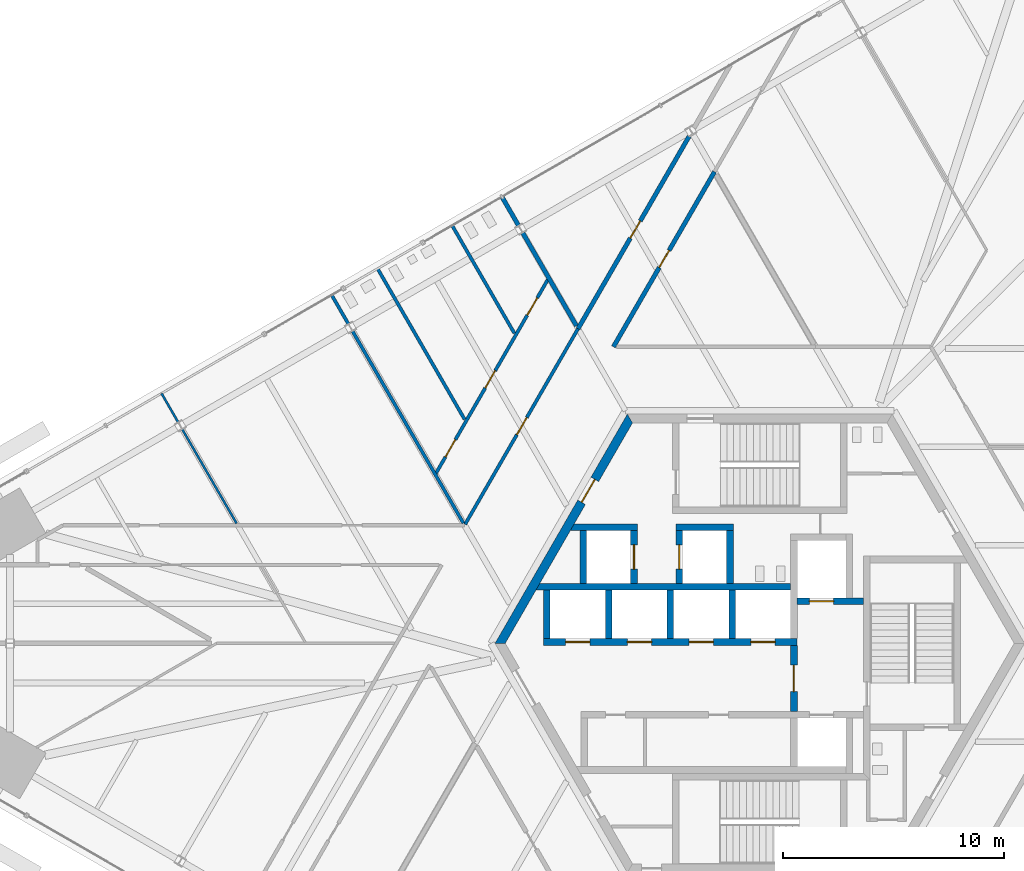
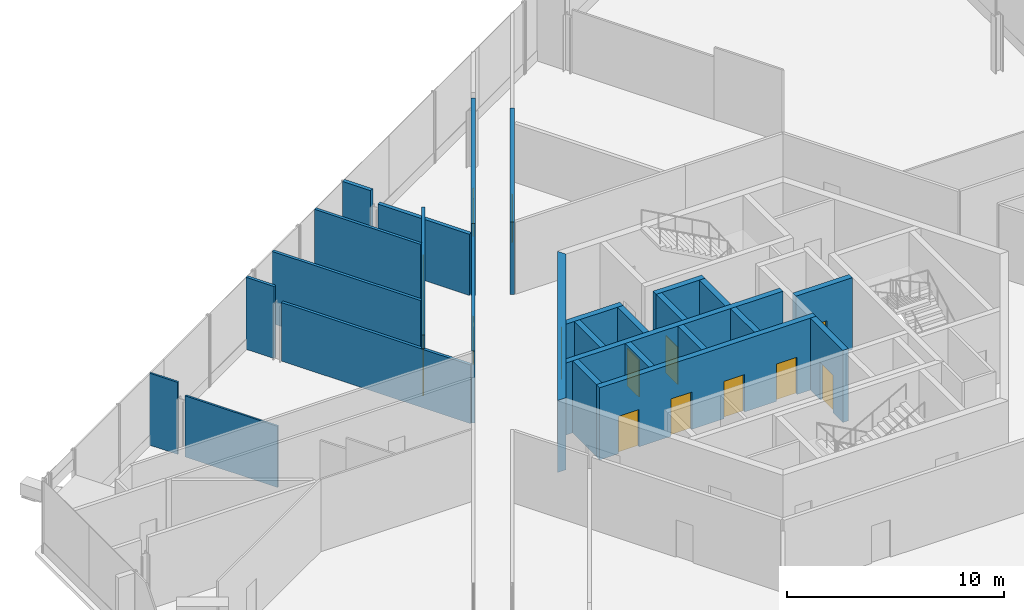
# One storey, part 18 of 22: 27 walls, 15 doors, 15 openings.
"""IFC4 building model written with IfcOpenShell, lengths in metres."""

from ifc_helpers import new_model, si_unit, direction, frame, frame_2d, origin, place, context, subcontext, project, spatial, polyline, rectangle, outline, extrude, source, transform, mapped, material, layer, layer_set, type_object, element, fill, save


model = new_model("IFC4")

# Units and contexts
model_context = context("Model", 3, precision=1e-05, world=origin(), true_north=direction((0.0, 1.0)))
body_context = subcontext(model_context, "Body", "Model", "MODEL_VIEW")
ifc_project = project(units=[si_unit("LENGTHUNIT", "METRE"), si_unit("AREAUNIT", "SQUARE_METRE"), si_unit("VOLUMEUNIT", "CUBIC_METRE"), si_unit("PLANEANGLEUNIT", "RADIAN"), si_unit("MASSUNIT", "GRAM", prefix="KILO")], contexts=[model_context])

# Site, building, storey
site_placement = place(None, origin())
site = spatial("IfcSite", under=ifc_project, at=site_placement, CompositionType="ELEMENT")
building_placement = place(site_placement, origin())
building = spatial("IfcBuilding", under=site, at=building_placement, Name="Triune Harvest Tower", CompositionType="ELEMENT")
storey_placement = place(building_placement, frame((0.0, 0.0, 50.39990234375)))
storey = spatial("IfcBuildingStorey", under=building, at=storey_placement, Name="L11", CompositionType="ELEMENT", Elevation=50.39990234375)

# Wall, openings, doors
ifc_material_1 = material(Name="Concrete 70 MPa", Category="concrete")
ifc_layer_1 = layer(ifc_material_1, 0.300048828125)
ifc_layer_set_1 = layer_set([ifc_layer_1], Name="Concrete 70 MPa")
wall_type_1 = type_object("IfcWallType", Name="Core wall 300", PredefinedType="SHEAR", material=ifc_layer_set_1)
wall_1_placement = place(storey_placement, frame((-9.800048828125, 0.06005859375, 0.0), z_axis=(0.0, 0.0, 1.0), x_axis=(1.0, 0.0, 0.0)))
wall_1 = element("IfcWall", 1, at=wall_1_placement, inside=storey, type_object=wall_type_1, Name="North front wall", PredefinedType="SHEAR", context=body_context, shape_type="SweptSolid", body=[
    extrude(rectangle(XDim=11.5, YDim=0.300048828125, at=frame_2d((5.75, 0.0))), origin(), (0.0, 0.0, 1.0), 4.050048828125),
])
opening_1_placement = place(wall_1_placement, frame((1.0, 0.0, 0.0)))
opening_1 = element("IfcOpeningElement", 2, at=opening_1_placement, cuts=wall_1, Name="Opening LD-LR1-11", PredefinedType="OPENING", context=body_context, shape_type="SweptSolid", body=[
    extrude(rectangle(XDim=1.10009765625, YDim=2.10009765625, at=frame_2d((0.550048828125, 1.050048828125))), frame((0.0, 0.16015625, 0.0), z_axis=(0.0, -1.0, 0.0), x_axis=(1.0, 0.0, 0.0)), (0.0, 0.0, 1.0), 0.320068359375),
])
opening_2_placement = place(wall_1_placement, frame((3.800048828125, 0.0, 0.0)))
opening_2 = element("IfcOpeningElement", 3, at=opening_2_placement, cuts=wall_1, Name="Opening LD-LR2-11", PredefinedType="OPENING", context=body_context, shape_type="SweptSolid", body=[
    extrude(rectangle(XDim=1.10009765625, YDim=2.10009765625, at=frame_2d((0.550048828125, 1.050048828125))), frame((0.0, 0.16015625, 0.0), z_axis=(0.0, -1.0, 0.0), x_axis=(1.0, 0.0, 0.0)), (0.0, 0.0, 1.0), 0.320068359375),
])
opening_3_placement = place(wall_1_placement, frame((6.60009765625, 0.0, 0.0)))
opening_3 = element("IfcOpeningElement", 4, at=opening_3_placement, cuts=wall_1, Name="Opening LD-LR3-11", PredefinedType="OPENING", context=body_context, shape_type="SweptSolid", body=[
    extrude(rectangle(XDim=1.10009765625, YDim=2.10009765625, at=frame_2d((0.550048828125, 1.050048828125))), frame((0.0, 0.16015625, 0.0), z_axis=(0.0, -1.0, 0.0), x_axis=(1.0, 0.0, 0.0)), (0.0, 0.0, 1.0), 0.320068359375),
])
opening_4_placement = place(wall_1_placement, frame((9.39990234375, 0.0, 0.0)))
opening_4 = element("IfcOpeningElement", 5, at=opening_4_placement, cuts=wall_1, Name="Opening LD-LR4-11", PredefinedType="OPENING", context=body_context, shape_type="SweptSolid", body=[
    extrude(rectangle(XDim=1.10009765625, YDim=2.10009765625, at=frame_2d((0.550048828125, 1.050048828125))), frame((0.0, 0.16015625, 0.0), z_axis=(0.0, -1.0, 0.0), x_axis=(1.0, 0.0, 0.0)), (0.0, 0.0, 1.0), 0.320068359375),
])
ifc_material_2 = material(Name="Stainless steel AISI 304", Category="steel")
door_type_1 = type_object("IfcDoorType", Name="Landing door 1100 x 2100", OperationType="DOUBLE_DOOR_SLIDING", PredefinedType="DOOR", material=ifc_material_2)
door_1_placement = place(opening_1_placement, origin())
door_1 = element("IfcDoor", 6, at=door_1_placement, inside=storey, type_object=door_type_1, Name="Door LD-LR1-11", OperationType="DOUBLE_DOOR_SLIDING", OverallHeight=2.10009765625, OverallWidth=1.10009765625, PredefinedType="DOOR", context=body_context, shape_type="SweptSolid", body=[
    extrude(rectangle(XDim=1.10009765625, YDim=2.10009765625, at=frame_2d((0.550048828125, 1.050048828125))), frame((0.0, 0.02490234375, 0.0), z_axis=(0.0, -1.0, 0.0), x_axis=(1.0, 0.0, 0.0)), (0.0, 0.0, 1.0), 0.050048828125),
])
fill(opening_1, door_1)
door_2_placement = place(opening_2_placement, origin())
door_2 = element("IfcDoor", 7, at=door_2_placement, inside=storey, type_object=door_type_1, Name="Door LD-LR2-11", OperationType="DOUBLE_DOOR_SLIDING", OverallHeight=2.10009765625, OverallWidth=1.10009765625, PredefinedType="DOOR", context=body_context, shape_type="SweptSolid", body=[
    extrude(rectangle(XDim=1.10009765625, YDim=2.10009765625, at=frame_2d((0.550048828125, 1.050048828125))), frame((0.0, 0.02490234375, 0.0), z_axis=(0.0, -1.0, 0.0), x_axis=(1.0, 0.0, 0.0)), (0.0, 0.0, 1.0), 0.050048828125),
])
fill(opening_2, door_2)
door_3_placement = place(opening_3_placement, origin())
door_3 = element("IfcDoor", 8, at=door_3_placement, inside=storey, type_object=door_type_1, Name="Door LD-LR3-11", OperationType="DOUBLE_DOOR_SLIDING", OverallHeight=2.10009765625, OverallWidth=1.10009765625, PredefinedType="DOOR", context=body_context, shape_type="SweptSolid", body=[
    extrude(rectangle(XDim=1.10009765625, YDim=2.10009765625, at=frame_2d((0.550048828125, 1.050048828125))), frame((0.0, 0.02490234375, 0.0), z_axis=(0.0, -1.0, 0.0), x_axis=(1.0, 0.0, 0.0)), (0.0, 0.0, 1.0), 0.050048828125),
])
fill(opening_3, door_3)
door_4_placement = place(opening_4_placement, origin())
door_4 = element("IfcDoor", 9, at=door_4_placement, inside=storey, type_object=door_type_1, Name="Door LD-LR4-11", OperationType="DOUBLE_DOOR_SLIDING", OverallHeight=2.10009765625, OverallWidth=1.10009765625, PredefinedType="DOOR", context=body_context, shape_type="SweptSolid", body=[
    extrude(rectangle(XDim=1.10009765625, YDim=2.10009765625, at=frame_2d((0.550048828125, 1.050048828125))), frame((0.0, 0.02490234375, 0.0), z_axis=(0.0, -1.0, 0.0), x_axis=(1.0, 0.0, 0.0)), (0.0, 0.0, 1.0), 0.050048828125),
])
fill(opening_4, door_4)

# Walls
wall_2_placement = place(storey_placement, frame((-9.800048828125, 2.56005859375, 0.0), z_axis=(0.0, 0.0, 1.0), x_axis=(1.0, 0.0, 0.0)))
element("IfcWall", 10, at=wall_2_placement, inside=storey, type_object=wall_type_1, Name="North back wall", PredefinedType="SHEAR", context=body_context, shape_type="SweptSolid", body=[
    extrude(outline(polyline([(11.199951171875, -0.14990234375), (-0.34912109375, -0.14990234375), (-0.17578125, 0.14990234375), (11.199951171875, 0.14990234375), (11.199951171875, -0.14990234375)])), origin(), (0.0, 0.0, 1.0), 4.050048828125),
])
wall_3_placement = place(storey_placement, frame((-8.14990234375, 5.260009765625, 0.0), z_axis=(0.0, 0.0, 1.0), x_axis=(1.0, 0.0, 0.0)))
element("IfcWall", 11, at=wall_3_placement, inside=storey, type_object=wall_type_1, Name="Sv1 north wall", PredefinedType="SHEAR", context=body_context, shape_type="SweptSolid", body=[
    extrude(outline(polyline([(2.60009765625, -0.14990234375), (-0.440185546875, -0.14990234375), (-0.26708984375, 0.14990234375), (2.60009765625, 0.14990234375), (2.60009765625, -0.14990234375)])), origin(), (0.0, 0.0, 1.0), 4.050048828125),
])
wall_4_placement = place(storey_placement, frame((-3.800048828125, 5.260009765625, 0.0), z_axis=(0.0, 0.0, 1.0), x_axis=(1.0, 0.0, 0.0)))
element("IfcWall", 12, at=wall_4_placement, inside=storey, type_object=wall_type_1, Name="Sv2 north wall", PredefinedType="SHEAR", context=body_context, shape_type="SweptSolid", body=[
    extrude(rectangle(XDim=2.60009765625, YDim=0.300048828125, at=frame_2d((1.300048828125, 0.0))), origin(), (0.0, 0.0, 1.0), 4.050048828125),
])
ifc_material_3 = material(Name="Gypsum board on steel studs", Category="steel")
ifc_layer_2 = layer(ifc_material_3, 0.14990234375)
ifc_layer_set_2 = layer_set([ifc_layer_2], Name="Gypsum board on steel studs")
wall_type_2 = type_object("IfcWallType", Name="Fire Partition 150 mm", PredefinedType="PARTITIONING", material=ifc_layer_set_2)
wall_5_placement = place(storey_placement, frame((-19.40185546875, 15.78515625, 0.0), z_axis=(0.0, 0.0, 1.0), x_axis=(0.499976292358, -0.866039090965, 0.0)))
element("IfcWall", 13, at=wall_5_placement, inside=storey, type_object=wall_type_2, Name="Partition L11 006", PredefinedType="PARTITIONING", context=body_context, shape_type="SweptSolid", body=[
    extrude(rectangle(XDim=1.49853515625, YDim=0.14990234375, at=frame_2d((0.749267578125, 0.0))), origin(), (0.0, 0.0, 1.0), 4.050048828125),
])
wall_6_placement = place(storey_placement, frame((-18.45947265625, 14.152587890625, 0.0), z_axis=(0.0, 0.0, 1.0), x_axis=(0.500006371327, -0.866021725266, 0.0)))
element("IfcWall", 14, at=wall_6_placement, inside=storey, type_object=wall_type_2, Name="Partition L11 007", PredefinedType="PARTITIONING", context=body_context, shape_type="SweptSolid", body=[
    extrude(rectangle(XDim=10.048583984375, YDim=0.14990234375, at=frame_2d((5.0244140625, 0.0))), origin(), (0.0, 0.0, 1.0), 3.293212890625),
])
wall_7_placement = place(storey_placement, frame((-17.323486328125, 16.985107421875, 0.0), z_axis=(0.0, 0.0, 1.0), x_axis=(0.500001837861, -0.866024342692, 0.0)))
element("IfcWall", 15, at=wall_7_placement, inside=storey, type_object=wall_type_2, Name="Partition L11 008", PredefinedType="PARTITIONING", context=body_context, shape_type="SweptSolid", body=[
    extrude(rectangle(XDim=7.89208984375, YDim=0.14990234375, at=frame_2d((3.946044921875, 0.0))), origin(), (0.0, 0.0, 1.0), 4.050048828125),
])
wall_8_placement = place(storey_placement, frame((-13.94091796875, 18.938232421875, 0.0), z_axis=(0.0, 0.0, 1.0), x_axis=(0.500009875128, -0.866019702301, 0.0)))
element("IfcWall", 16, at=wall_8_placement, inside=storey, type_object=wall_type_2, Name="Partition L11 009", PredefinedType="PARTITIONING", context=body_context, shape_type="SweptSolid", body=[
    extrude(rectangle(XDim=5.63720703125, YDim=0.14990234375, at=frame_2d((2.818603515625, 0.0))), origin(), (0.0, 0.0, 1.0), 4.050048828125),
])

# Wall, opening, door
wall_9_placement = place(storey_placement, frame((-13.35498046875, 5.398193359375, 0.0), z_axis=(0.0, 0.0, 1.0), x_axis=(0.499984682238, 0.866034247318, 0.0)))
wall_9 = element("IfcWall", 17, at=wall_9_placement, inside=storey, type_object=wall_type_2, Name="Partition L11 056", PredefinedType="PARTITIONING", context=body_context, shape_type="SweptSolid", body=[
    extrude(rectangle(XDim=10.235107421875, YDim=0.14990234375, at=frame_2d((5.11767578125, 0.0))), origin(), (0.0, 0.0, 1.0), 4.050048828125),
])
opening_5_placement = place(wall_9_placement, frame((4.6884765625, 0.0, 0.0)))
opening_5 = element("IfcOpeningElement", 18, at=opening_5_placement, cuts=wall_9, Name="Opening L11-010", PredefinedType="OPENING", context=body_context, shape_type="SweptSolid", body=[
    extrude(rectangle(XDim=0.89990234375, YDim=2.10009765625, at=frame_2d((0.449951171875, 1.050048828125))), frame((0.0, 0.0849609375, 0.0), z_axis=(0.0, -1.0, 0.0), x_axis=(1.0, 0.0, 0.0)), (0.0, 0.0, 1.0), 0.169921875),
])
ifc_material_4 = material(Name="Timber and steel door set", Category="steel")
door_type_2 = type_object("IfcDoorType", Name="Single leaf door FD30 right hand 900 x 2100", OperationType="SINGLE_SWING_RIGHT", PredefinedType="DOOR", material=ifc_material_4)
door_5_placement = place(opening_5_placement, origin())
door_5 = element("IfcDoor", 19, at=door_5_placement, inside=storey, type_object=door_type_2, Name="Door L11-010 WC lobby 11.10", OperationType="SINGLE_SWING_RIGHT", OverallHeight=2.10009765625, OverallWidth=0.89990234375, PredefinedType="DOOR", context=body_context, shape_type="SweptSolid", body=[
    extrude(rectangle(XDim=0.89990234375, YDim=2.10009765625, at=frame_2d((0.449951171875, 1.050048828125))), frame((0.0, 0.02490234375, 0.0), z_axis=(0.0, -1.0, 0.0), x_axis=(1.0, 0.0, 0.0)), (0.0, 0.0, 1.0), 0.050048828125),
])
fill(opening_5, door_5)

# Wall, openings, doors
wall_10_placement = place(storey_placement, frame((-14.7080078125, 7.655029296875, 0.0), z_axis=(0.0, 0.0, 1.0), x_axis=(0.500000437373, 0.866025151267, 0.0)))
wall_10 = element("IfcWall", 20, at=wall_10_placement, inside=storey, type_object=wall_type_2, Name="Partition L11 059", PredefinedType="PARTITIONING", context=body_context, shape_type="SweptSolid", body=[
    extrude(rectangle(XDim=10.28857421875, YDim=0.14990234375, at=frame_2d((5.144287109375, 0.0))), origin(), (0.0, 0.0, 1.0), 4.050048828125),
])
opening_6_placement = place(wall_10_placement, frame((8.338134765625, 0.0, 0.0)))
opening_6 = element("IfcOpeningElement", 21, at=opening_6_placement, cuts=wall_10, Name="Opening L11-011", PredefinedType="OPENING", context=body_context, shape_type="SweptSolid", body=[
    extrude(rectangle(XDim=0.89990234375, YDim=2.10009765625, at=frame_2d((0.449951171875, 1.050048828125))), frame((0.0, 0.0849609375, 0.0), z_axis=(0.0, -1.0, 0.0), x_axis=(1.0, 0.0, 0.0)), (0.0, 0.0, 1.0), 0.169921875),
])
opening_7_placement = place(wall_10_placement, frame((4.531494140625, 0.0, 0.0)))
opening_7 = element("IfcOpeningElement", 22, at=opening_7_placement, cuts=wall_10, Name="Opening L11-012", PredefinedType="OPENING", context=body_context, shape_type="SweptSolid", body=[
    extrude(rectangle(XDim=0.89990234375, YDim=2.10009765625, at=frame_2d((0.449951171875, 1.050048828125))), frame((0.0, 0.0849609375, 0.0), z_axis=(0.0, -1.0, 0.0), x_axis=(1.0, 0.0, 0.0)), (0.0, 0.0, 1.0), 0.169921875),
])
opening_8_placement = place(wall_10_placement, frame((0.921142578125, 0.0, 0.0)))
opening_8 = element("IfcOpeningElement", 23, at=opening_8_placement, cuts=wall_10, Name="Opening L11-013", PredefinedType="OPENING", context=body_context, shape_type="SweptSolid", body=[
    extrude(rectangle(XDim=0.89990234375, YDim=2.10009765625, at=frame_2d((0.449951171875, 1.050048828125))), frame((0.0, 0.0849609375, 0.0), z_axis=(0.0, -1.0, 0.0), x_axis=(1.0, 0.0, 0.0)), (0.0, 0.0, 1.0), 0.169921875),
])
ifc_material_5 = material(Name="Timber and steel door set", Category="steel")
door_type_3 = type_object("IfcDoorType", Name="Single leaf door FD30 left hand 900 x 2100", OperationType="SINGLE_SWING_LEFT", PredefinedType="DOOR", material=ifc_material_5)
door_6_placement = place(opening_7_placement, origin())
door_6 = element("IfcDoor", 24, at=door_6_placement, inside=storey, type_object=door_type_3, Name="Door L11-012 Men's WC 11.12", OperationType="SINGLE_SWING_LEFT", OverallHeight=2.10009765625, OverallWidth=0.89990234375, PredefinedType="DOOR", context=body_context, shape_type="SweptSolid", body=[
    extrude(rectangle(XDim=0.89990234375, YDim=2.10009765625, at=frame_2d((0.449951171875, 1.050048828125))), frame((0.0, 0.02490234375, 0.0), z_axis=(0.0, -1.0, 0.0), x_axis=(1.0, 0.0, 0.0)), (0.0, 0.0, 1.0), 0.050048828125),
])
fill(opening_7, door_6)
door_7_placement = place(opening_8_placement, origin())
door_7 = element("IfcDoor", 25, at=door_7_placement, inside=storey, type_object=door_type_3, Name="Door L11-013 Accessible WC 11.13", OperationType="SINGLE_SWING_LEFT", OverallHeight=2.10009765625, OverallWidth=0.89990234375, PredefinedType="DOOR", context=body_context, shape_type="SweptSolid", body=[
    extrude(rectangle(XDim=0.89990234375, YDim=2.10009765625, at=frame_2d((0.449951171875, 1.050048828125))), frame((0.0, 0.02490234375, 0.0), z_axis=(0.0, -1.0, 0.0), x_axis=(1.0, 0.0, 0.0)), (0.0, 0.0, 1.0), 0.050048828125),
])
fill(opening_8, door_7)
door_8_placement = place(opening_6_placement, origin())
door_8 = element("IfcDoor", 26, at=door_8_placement, inside=storey, type_object=door_type_2, Name="Door L11-011 Women's WC 11.11", OperationType="SINGLE_SWING_RIGHT", OverallHeight=2.10009765625, OverallWidth=0.89990234375, PredefinedType="DOOR", context=body_context, shape_type="SweptSolid", body=[
    extrude(rectangle(XDim=0.89990234375, YDim=2.10009765625, at=frame_2d((0.449951171875, 1.050048828125))), frame((0.0, 0.02490234375, 0.0), z_axis=(0.0, -1.0, 0.0), x_axis=(1.0, 0.0, 0.0)), (0.0, 0.0, 1.0), 0.050048828125),
])
fill(opening_6, door_8)

# Wall
ifc_material_6 = material(Name="Gypsum board on steel studs", Category="steel")
ifc_layer_3 = layer(ifc_material_6, 0.199951171875)
ifc_layer_set_3 = layer_set([ifc_layer_3], Name="Gypsum board on steel studs")
wall_type_3 = type_object("IfcWallType", Name="Fire Wall 200 mm", PredefinedType="PARTITIONING", material=ifc_layer_set_3)
wall_11_placement = place(storey_placement, frame((-10.7431640625, 18.607666015625, 0.0), z_axis=(0.0, 0.0, 1.0), x_axis=(0.500030907386, -0.866007558661, 0.0)))
element("IfcWall", 27, at=wall_11_placement, inside=storey, type_object=wall_type_3, Name="Partition L11 011", PredefinedType="PARTITIONING", context=body_context, shape_type="SweptSolid", body=[
    extrude(rectangle(XDim=4.864501953125, YDim=0.199951171875, at=frame_2d((2.43212890625, 0.0))), origin(), (0.0, 0.0, 1.0), 3.43798828125),
])

# Wall, opening, door
wall_12_placement = place(storey_placement, frame((-6.63232421875, 13.442138671875, 0.0), z_axis=(0.0, 0.0, 1.0), x_axis=(0.499984603534, 0.866034292756, 0.0)))
wall_12 = element("IfcWall", 28, at=wall_12_placement, inside=storey, type_object=wall_type_3, Name="Partition L11 053", PredefinedType="PARTITIONING", context=body_context, shape_type="SweptSolid", body=[
    extrude(rectangle(XDim=9.163330078125, YDim=0.199951171875, at=frame_2d((4.58154296875, 0.0))), origin(), (0.0, 0.0, 1.0), 4.050048828125),
])
opening_9_placement = place(wall_12_placement, frame((4.150146484375, 0.0, 0.0)))
opening_9 = element("IfcOpeningElement", 29, at=opening_9_placement, cuts=wall_12, Name="Opening L11-009", PredefinedType="OPENING", context=body_context, shape_type="SweptSolid", body=[
    extrude(rectangle(XDim=0.89990234375, YDim=2.10009765625, at=frame_2d((0.449951171875, 1.050048828125))), frame((0.0, 0.10986328125, 0.0), z_axis=(0.0, -1.0, 0.0), x_axis=(1.0, 0.0, 0.0)), (0.0, 0.0, 1.0), 0.219970703125),
])
ifc_material_7 = material(Name="Timber and steel door set", Category="steel")
door_type_4 = type_object("IfcDoorType", Name="Single leaf door FD60 left hand 900 x 2100", OperationType="SINGLE_SWING_LEFT", PredefinedType="DOOR", material=ifc_material_7)
door_9_placement = place(opening_9_placement, origin())
door_9 = element("IfcDoor", 30, at=door_9_placement, inside=storey, type_object=door_type_4, Name="Door L11-009 Pump Room 11.09", OperationType="SINGLE_SWING_LEFT", OverallHeight=2.10009765625, OverallWidth=0.89990234375, PredefinedType="DOOR", context=body_context, shape_type="SweptSolid", body=[
    extrude(rectangle(XDim=0.89990234375, YDim=2.10009765625, at=frame_2d((0.449951171875, 1.050048828125))), frame((0.0, 0.02490234375, 0.0), z_axis=(0.0, -1.0, 0.0), x_axis=(1.0, 0.0, 0.0)), (0.0, 0.0, 1.0), 0.050048828125),
])
fill(opening_9, door_9)

wall_13_placement = place(storey_placement, frame((-8.237548828125, 14.26220703125, 0.0), z_axis=(0.0, 0.0, 1.0), x_axis=(0.500019063067, 0.866014397438, 0.0)))
wall_13 = element("IfcWall", 31, at=wall_13_placement, inside=storey, type_object=wall_type_3, Name="Partition L11 057", PredefinedType="PARTITIONING", context=body_context, shape_type="SweptSolid", body=[
    extrude(rectangle(XDim=10.06982421875, YDim=0.199951171875, at=frame_2d((5.034912109375, 0.0))), origin(), (0.0, 0.0, 1.0), 4.050048828125),
])
opening_10_placement = place(wall_13_placement, frame((4.74169921875, 0.0, 0.0)))
opening_10 = element("IfcOpeningElement", 32, at=opening_10_placement, cuts=wall_13, Name="Opening L11-008", PredefinedType="OPENING", context=body_context, shape_type="SweptSolid", body=[
    extrude(rectangle(XDim=0.89990234375, YDim=2.10009765625, at=frame_2d((0.449951171875, 1.050048828125))), frame((0.0, 0.10986328125, 0.0), z_axis=(0.0, -1.0, 0.0), x_axis=(1.0, 0.0, 0.0)), (0.0, 0.0, 1.0), 0.219970703125),
])
ifc_material_8 = material(Name="Timber and steel door set", Category="steel")
door_type_5 = type_object("IfcDoorType", Name="Single leaf door FD60 right hand 900 x 2100", OperationType="SINGLE_SWING_RIGHT", PredefinedType="DOOR", material=ifc_material_8)
door_10_placement = place(opening_10_placement, origin())
door_10 = element("IfcDoor", 33, at=door_10_placement, inside=storey, type_object=door_type_5, Name="Door L11-008 Pump Room 11.08", OperationType="SINGLE_SWING_RIGHT", OverallHeight=2.10009765625, OverallWidth=0.89990234375, PredefinedType="DOOR", context=body_context, shape_type="SweptSolid", body=[
    extrude(rectangle(XDim=0.89990234375, YDim=2.10009765625, at=frame_2d((0.449951171875, 1.050048828125))), frame((0.0, 0.02490234375, 0.0), z_axis=(0.0, -1.0, 0.0), x_axis=(1.0, 0.0, 0.0)), (0.0, 0.0, 1.0), 0.050048828125),
])
fill(opening_10, door_10)

# Wall
ifc_material_9 = material(Name="Gypsum board on steel studs", Category="steel")
ifc_layer_4 = layer(ifc_material_9, 0.10009765625)
ifc_layer_set_4 = layer_set([ifc_layer_4], Name="Gypsum board on steel studs")
wall_type_4 = type_object("IfcWallType", Name="Partition 100 mm", PredefinedType="PARTITIONING", material=ifc_layer_set_4)
wall_14_placement = place(storey_placement, frame((-26.17578125, 9.69775390625, 0.0), z_axis=(0.0, 0.0, 1.0), x_axis=(0.500009969958, -0.86601964755, 0.0)))
element("IfcWall", 34, at=wall_14_placement, inside=storey, type_object=wall_type_4, Name="Partition L11 002", PredefinedType="PARTITIONING", context=body_context, shape_type="SweptSolid", body=[
    extrude(rectangle(XDim=4.9248046875, YDim=0.10009765625, at=frame_2d((2.46240234375, 0.0))), origin(), (0.0, 0.0, 1.0), 3.43798828125),
])

# Wall, opening, door
ifc_material_10 = material(Name="Concrete 70 MPa", Category="concrete")
ifc_layer_5 = layer(ifc_material_10, 0.39990234375)
ifc_layer_set_5 = layer_set([ifc_layer_5], Name="Concrete 70 MPa")
wall_type_5 = type_object("IfcWallType", Name="Core wall 400", PredefinedType="SHEAR", material=ifc_layer_set_5)
shared_shape_1 = source(origin(), body_context, "Body", "SweptSolid", [
    extrude(outline(polyline([(-0.115478515625, -0.199951171875), (11.884521484375, -0.199951171875), (11.653564453125, 0.199951171875), (0.115478515625, 0.199951171875), (-0.115478515625, -0.199951171875)])), origin(), (0.0, 0.0, 1.0), 4.050048828125),
])
wall_15_placement = place(storey_placement, frame((-5.884521484375, 10.1923828125, 0.0), z_axis=(0.0, 0.0, 1.0), x_axis=(-0.499996592174, -0.866027371285, 0.0)))
wall_15 = element("IfcWall", 35, at=wall_15_placement, inside=storey, type_object=wall_type_5, Name="Hexagon 2 wall", PredefinedType="SHEAR", context=body_context, shape_type="MappedRepresentation", body=[
    mapped(shared_shape_1, transform((0.0, 0.0, 0.0), scale=1.0)),
])
opening_11_placement = place(wall_15_placement, frame((3.1845703125, 0.0, 0.0)))
opening_11 = element("IfcOpeningElement", 36, at=opening_11_placement, cuts=wall_15, Name="Opening CD-SVP", PredefinedType="OPENING", context=body_context, shape_type="SweptSolid", body=[
    extrude(rectangle(XDim=1.199951171875, YDim=2.10009765625, at=frame_2d((0.60009765625, 1.050048828125))), frame((0.0, 0.2099609375, 0.0), z_axis=(0.0, -1.0, 0.0), x_axis=(1.0, 0.0, 0.0)), (0.0, 0.0, 1.0), 0.419921875),
])
ifc_material_11 = material(Name="Steel S235", Category="steel")
door_type_6 = type_object("IfcDoorType", Name="Service door 1200 FD120", OperationType="SINGLE_SWING_LEFT", PredefinedType="DOOR", material=ifc_material_11)
door_11_placement = place(opening_11_placement, frame((1.199951171875, 0.0, 0.0), z_axis=(0.0, 0.0, 1.0), x_axis=(-1.0, 0.0, 0.0)))
door_11 = element("IfcDoor", 37, at=door_11_placement, inside=storey, type_object=door_type_6, Name="Door CD-SVP", OperationType="SINGLE_SWING_RIGHT", OverallHeight=2.10009765625, OverallWidth=1.199951171875, PredefinedType="DOOR", context=body_context, shape_type="SweptSolid", body=[
    extrude(rectangle(XDim=1.199951171875, YDim=2.10009765625, at=frame_2d((0.60009765625, 1.050048828125))), frame((0.0, 0.02490234375, 0.0), z_axis=(0.0, -1.0, 0.0), x_axis=(1.0, 0.0, 0.0)), (0.0, 0.0, 1.0), 0.050048828125),
])
fill(opening_11, door_11)

shared_shape_2 = source(origin(), body_context, "Body", "SweptSolid", [
    extrude(rectangle(XDim=3.0, YDim=0.300048828125, at=frame_2d((1.5, 0.0))), origin(), (0.0, 0.0, 1.0), 4.050048828125),
])
wall_16_placement = place(storey_placement, frame((1.699951171875, 1.909912109375, 0.0), z_axis=(0.0, 0.0, 1.0), x_axis=(1.0, 0.0, 0.0)))
wall_16 = element("IfcWall", 38, at=wall_16_placement, inside=storey, type_object=wall_type_1, Name="Ff1 front wall", PredefinedType="SHEAR", context=body_context, shape_type="MappedRepresentation", body=[
    mapped(shared_shape_2, transform((0.0, 0.0, 0.0), scale=1.0)),
])
opening_12_placement = place(wall_16_placement, frame((0.550048828125, 0.0, 0.0)))
opening_12 = element("IfcOpeningElement", 39, at=opening_12_placement, cuts=wall_16, Name="Opening LD-FF1-11", PredefinedType="OPENING", context=body_context, shape_type="SweptSolid", body=[
    extrude(rectangle(XDim=1.10009765625, YDim=2.10009765625, at=frame_2d((0.550048828125, 1.050048828125))), frame((0.0, 0.16015625, 0.0), z_axis=(0.0, -1.0, 0.0), x_axis=(1.0, 0.0, 0.0)), (0.0, 0.0, 1.0), 0.320068359375),
])
door_12_placement = place(opening_12_placement, origin())
door_12 = element("IfcDoor", 40, at=door_12_placement, inside=storey, type_object=door_type_1, Name="Door LD-FF1-11", OperationType="DOUBLE_DOOR_SLIDING", OverallHeight=2.10009765625, OverallWidth=1.10009765625, PredefinedType="DOOR", context=body_context, shape_type="SweptSolid", body=[
    extrude(rectangle(XDim=1.10009765625, YDim=2.10009765625, at=frame_2d((0.550048828125, 1.050048828125))), frame((0.0, 0.02490234375, 0.0), z_axis=(0.0, -1.0, 0.0), x_axis=(1.0, 0.0, 0.0)), (0.0, 0.0, 1.0), 0.050048828125),
])
fill(opening_12, door_12)

wall_17_placement = place(storey_placement, frame((1.550048828125, -3.090087890625, 0.0), z_axis=(0.0, 0.0, 1.0), x_axis=(0.0, 1.0, 0.0)))
wall_17 = element("IfcWall", 41, at=wall_17_placement, inside=storey, type_object=wall_type_1, Name="Ff lobby west wall", PredefinedType="SHEAR", context=body_context, shape_type="MappedRepresentation", body=[
    mapped(shared_shape_2, transform((0.0, 0.0, 0.0), scale=1.0)),
])
opening_13_placement = place(wall_17_placement, frame((0.89990234375, 0.0, 0.0)))
opening_13 = element("IfcOpeningElement", 42, at=opening_13_placement, cuts=wall_17, Name="Opening CD-FL", PredefinedType="OPENING", context=body_context, shape_type="SweptSolid", body=[
    extrude(rectangle(XDim=1.199951171875, YDim=2.10009765625, at=frame_2d((0.60009765625, 1.050048828125))), frame((0.0, 0.16015625, 0.0), z_axis=(0.0, -1.0, 0.0), x_axis=(1.0, 0.0, 0.0)), (0.0, 0.0, 1.0), 0.320068359375),
])
ifc_material_12 = material(Name="Steel S235", Category="steel")
door_type_7 = type_object("IfcDoorType", Name="Firefighters' lobby door 1200 FD120", OperationType="SINGLE_SWING_LEFT", PredefinedType="DOOR", material=ifc_material_12)
door_13_placement = place(opening_13_placement, frame((1.199951171875, 0.0, 0.0), z_axis=(0.0, 0.0, 1.0), x_axis=(-1.0, 0.0, 0.0)))
door_13 = element("IfcDoor", 43, at=door_13_placement, inside=storey, type_object=door_type_7, Name="Door CD-FL", OperationType="SINGLE_SWING_RIGHT", OverallHeight=2.10009765625, OverallWidth=1.199951171875, PredefinedType="DOOR", context=body_context, shape_type="SweptSolid", body=[
    extrude(rectangle(XDim=1.199951171875, YDim=2.10009765625, at=frame_2d((0.60009765625, 1.050048828125))), frame((0.0, 0.02490234375, 0.0), z_axis=(0.0, -1.0, 0.0), x_axis=(1.0, 0.0, 0.0)), (0.0, 0.0, 1.0), 0.050048828125),
])
fill(opening_13, door_13)

# Walls
shared_shape_3 = source(origin(), body_context, "Body", "SweptSolid", [
    extrude(rectangle(XDim=2.199951171875, YDim=0.300048828125, at=frame_2d((1.10009765625, 0.0))), origin(), (0.0, 0.0, 1.0), 4.050048828125),
])
for number, where, z_axis, x_axis, name in (
    (44, (-9.64990234375, 0.2099609375, 0.0), (0.0, 0.0, 1.0), (0.0, 1.0, 0.0), "North end west wall"),
    (45, (-6.85009765625, 0.2099609375, 0.0), (0.0, 0.0, 1.0), (0.0, 1.0, 0.0), "North cross 1 wall"),
    (46, (-4.050048828125, 0.2099609375, 0.0), (0.0, 0.0, 1.0), (0.0, 1.0, 0.0), "North cross 2 wall"),
    (47, (-1.25, 0.2099609375, 0.0), (0.0, 0.0, 1.0), (0.0, 1.0, 0.0), "North cross 3 wall"),
):
    element("IfcWall", number, at=place(storey_placement, frame(where, z_axis=z_axis, x_axis=x_axis)), inside=storey, type_object=wall_type_1, Name=name, PredefinedType="SHEAR", context=body_context, shape_type="MappedRepresentation", body=[
        mapped(shared_shape_3, transform((0.0, 0.0, 0.0), scale=1.0)),
    ])
shared_shape_4 = source(origin(), body_context, "Body", "SweptSolid", [
    extrude(rectangle(XDim=2.400146484375, YDim=0.300048828125, at=frame_2d((1.2001953125, 0.0))), origin(), (0.0, 0.0, 1.0), 4.050048828125),
])
wall_18_placement = place(storey_placement, frame((-8.0, 2.7099609375, 0.0), z_axis=(0.0, 0.0, 1.0), x_axis=(0.0, 1.0, 0.0)))
element("IfcWall", 48, at=wall_18_placement, inside=storey, type_object=wall_type_1, Name="Sv1 west wall", PredefinedType="SHEAR", context=body_context, shape_type="MappedRepresentation", body=[
    mapped(shared_shape_4, transform((0.0, 0.0, 0.0), scale=1.0)),
])

# Wall, opening, door
wall_19_placement = place(storey_placement, frame((-5.699951171875, 2.7099609375, 0.0), z_axis=(0.0, 0.0, 1.0), x_axis=(0.0, 1.0, 0.0)))
wall_19 = element("IfcWall", 49, at=wall_19_placement, inside=storey, type_object=wall_type_1, Name="Sv1 east wall", PredefinedType="SHEAR", context=body_context, shape_type="MappedRepresentation", body=[
    mapped(shared_shape_4, transform((0.0, 0.0, 0.0), scale=1.0)),
])
opening_14_placement = place(wall_19_placement, frame((0.64990234375, 0.0, 0.0)))
opening_14 = element("IfcOpeningElement", 50, at=opening_14_placement, cuts=wall_19, Name="Opening LD-SV1-11", PredefinedType="OPENING", context=body_context, shape_type="SweptSolid", body=[
    extrude(rectangle(XDim=1.10009765625, YDim=2.10009765625, at=frame_2d((0.550048828125, 1.050048828125))), frame((0.0, 0.16015625, 0.0), z_axis=(0.0, -1.0, 0.0), x_axis=(1.0, 0.0, 0.0)), (0.0, 0.0, 1.0), 0.320068359375),
])
door_14_placement = place(opening_14_placement, origin())
door_14 = element("IfcDoor", 51, at=door_14_placement, inside=storey, type_object=door_type_1, Name="Door LD-SV1-11", OperationType="DOUBLE_DOOR_SLIDING", OverallHeight=2.10009765625, OverallWidth=1.10009765625, PredefinedType="DOOR", context=body_context, shape_type="SweptSolid", body=[
    extrude(rectangle(XDim=1.10009765625, YDim=2.10009765625, at=frame_2d((0.550048828125, 1.050048828125))), frame((0.0, 0.02490234375, 0.0), z_axis=(0.0, -1.0, 0.0), x_axis=(1.0, 0.0, 0.0)), (0.0, 0.0, 1.0), 0.050048828125),
])
fill(opening_14, door_14)

wall_20_placement = place(storey_placement, frame((-3.64990234375, 2.7099609375, 0.0), z_axis=(0.0, 0.0, 1.0), x_axis=(0.0, 1.0, 0.0)))
wall_20 = element("IfcWall", 52, at=wall_20_placement, inside=storey, type_object=wall_type_1, Name="Sv2 west wall", PredefinedType="SHEAR", context=body_context, shape_type="MappedRepresentation", body=[
    mapped(shared_shape_4, transform((0.0, 0.0, 0.0), scale=1.0)),
])
opening_15_placement = place(wall_20_placement, frame((0.64990234375, 0.0, 0.0)))
opening_15 = element("IfcOpeningElement", 53, at=opening_15_placement, cuts=wall_20, Name="Opening LD-SV2-11", PredefinedType="OPENING", context=body_context, shape_type="SweptSolid", body=[
    extrude(rectangle(XDim=1.10009765625, YDim=2.10009765625, at=frame_2d((0.550048828125, 1.050048828125))), frame((0.0, 0.16015625, 0.0), z_axis=(0.0, -1.0, 0.0), x_axis=(1.0, 0.0, 0.0)), (0.0, 0.0, 1.0), 0.320068359375),
])
door_15_placement = place(opening_15_placement, origin())
door_15 = element("IfcDoor", 54, at=door_15_placement, inside=storey, type_object=door_type_1, Name="Door LD-SV2-11", OperationType="DOUBLE_DOOR_SLIDING", OverallHeight=2.10009765625, OverallWidth=1.10009765625, PredefinedType="DOOR", context=body_context, shape_type="SweptSolid", body=[
    extrude(rectangle(XDim=1.10009765625, YDim=2.10009765625, at=frame_2d((0.550048828125, 1.050048828125))), frame((0.0, 0.02490234375, 0.0), z_axis=(0.0, -1.0, 0.0), x_axis=(1.0, 0.0, 0.0)), (0.0, 0.0, 1.0), 0.050048828125),
])
fill(opening_15, door_15)

# Walls
wall_21_placement = place(storey_placement, frame((-1.35009765625, 2.7099609375, 0.0), z_axis=(0.0, 0.0, 1.0), x_axis=(0.0, 1.0, 0.0)))
element("IfcWall", 55, at=wall_21_placement, inside=storey, type_object=wall_type_1, Name="Sv2 east wall", PredefinedType="SHEAR", context=body_context, shape_type="MappedRepresentation", body=[
    mapped(shared_shape_4, transform((0.0, 0.0, 0.0), scale=1.0)),
])
shared_shape_5 = source(origin(), body_context, "Body", "SweptSolid", [
    extrude(rectangle(XDim=1.49853515625, YDim=0.10009765625, at=frame_2d((0.749267578125, 0.0))), origin(), (0.0, 0.0, 1.0), 4.050048828125),
])
wall_22_placement = place(storey_placement, frame((-27.1181640625, 11.330078125, 0.0), z_axis=(0.0, 0.0, 1.0), x_axis=(0.499976292358, -0.866039090965, 0.0)))
element("IfcWall", 56, at=wall_22_placement, inside=storey, type_object=wall_type_4, Name="Partition L11 001", PredefinedType="PARTITIONING", context=body_context, shape_type="MappedRepresentation", body=[
    mapped(shared_shape_5, transform((0.0, 0.0, 0.0), scale=1.0)),
])
shared_shape_6 = source(origin(), body_context, "Body", "SweptSolid", [
    extrude(rectangle(XDim=1.49853515625, YDim=0.199951171875, at=frame_2d((0.749267578125, 0.0))), origin(), (0.0, 0.0, 1.0), 4.050048828125),
])
wall_23_placement = place(storey_placement, frame((-11.685546875, 20.240234375, 0.0), z_axis=(0.0, 0.0, 1.0), x_axis=(0.499976292358, -0.866039090965, 0.0)))
element("IfcWall", 57, at=wall_23_placement, inside=storey, type_object=wall_type_3, Name="Partition L11 010", PredefinedType="PARTITIONING", context=body_context, shape_type="MappedRepresentation", body=[
    mapped(shared_shape_6, transform((0.0, 0.0, 0.0), scale=1.0)),
])

save(model, "model.ifc")
